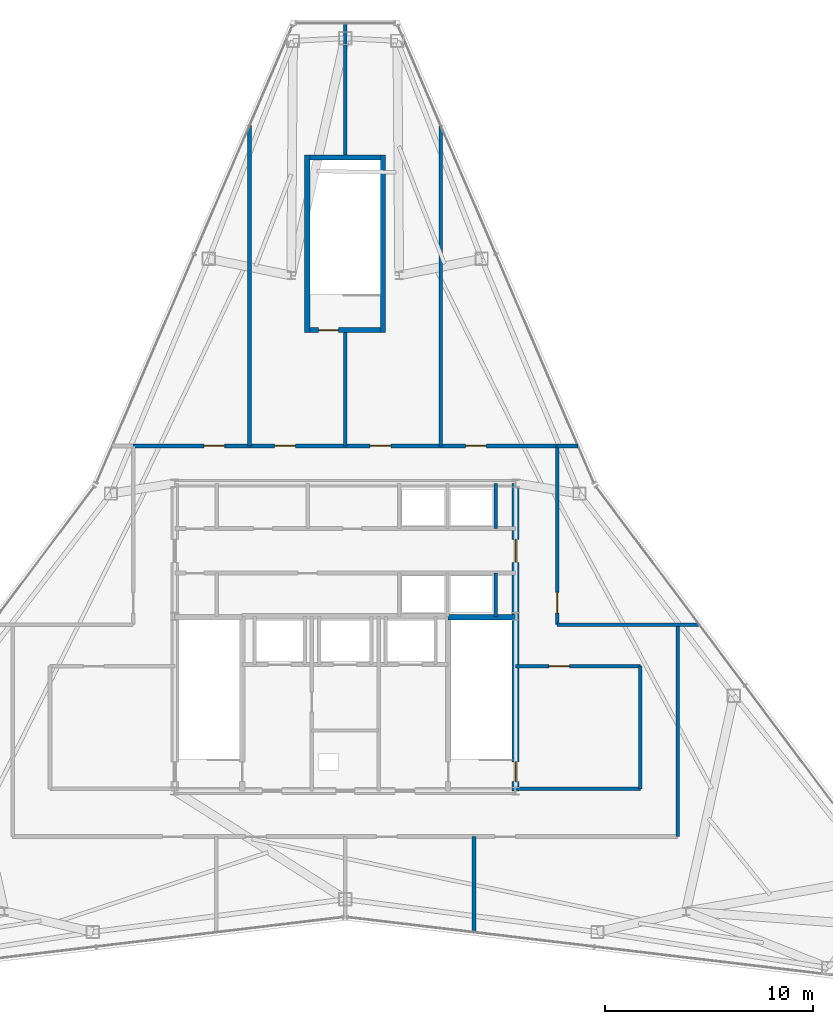
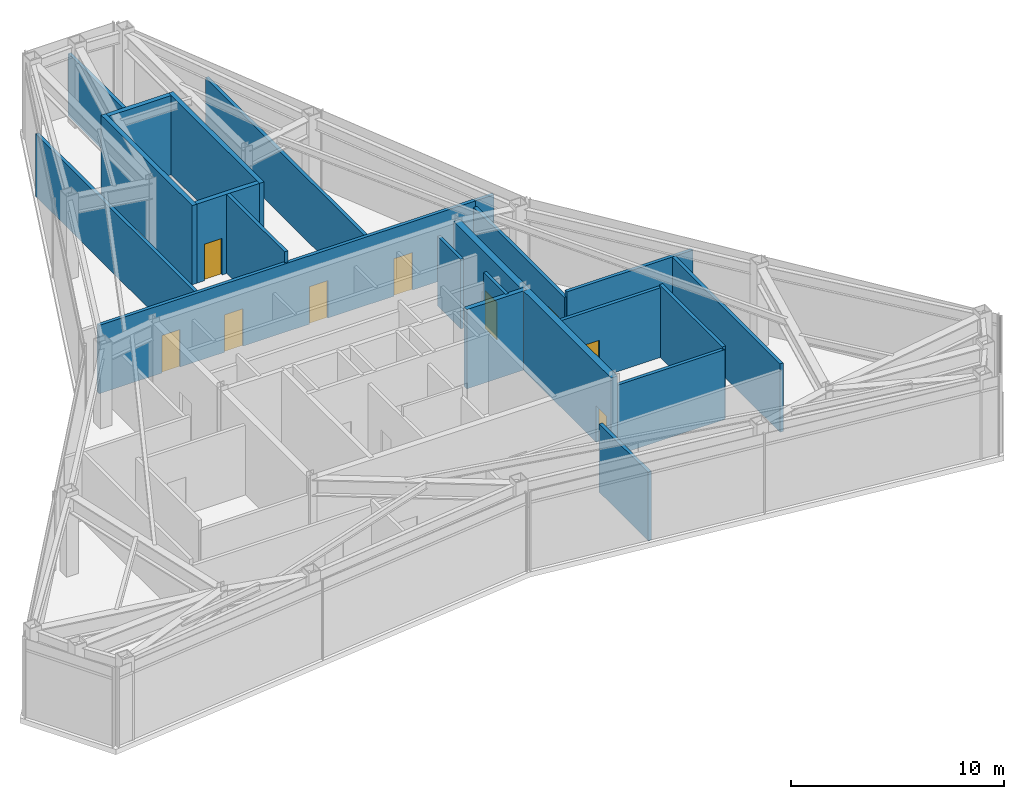
# One storey, part 10 of 11: 21 walls, 9 doors, 9 openings.
"""IFC4 building model written with IfcOpenShell, lengths in metres."""

from ifc_helpers import new_model, si_unit, direction, frame, frame_2d, origin, place, context, subcontext, project, spatial, rectangle, extrude, material, layer, layer_set, type_object, element, fill, save


model = new_model("IFC4")

# Units and contexts
model_context = context("Model", 3, precision=1e-05, world=origin(), true_north=direction((0.0, 1.0)))
body_context = subcontext(model_context, "Body", "Model", "MODEL_VIEW")
ifc_project = project(units=[si_unit("LENGTHUNIT", "METRE"), si_unit("AREAUNIT", "SQUARE_METRE"), si_unit("VOLUMEUNIT", "CUBIC_METRE"), si_unit("PLANEANGLEUNIT", "RADIAN"), si_unit("MASSUNIT", "GRAM", prefix="KILO")], contexts=[model_context])

# Site, building, storey
site_placement = place(None, origin())
site = spatial("IfcSite", under=ifc_project, at=site_placement, CompositionType="ELEMENT")
building_placement = place(site_placement, origin())
building = spatial("IfcBuilding", under=site, at=building_placement, Name="Varakhsha Concourse Tower", CompositionType="ELEMENT")
storey_placement = place(building_placement, frame((0.0, 0.0, 290.0)))
storey = spatial("IfcBuildingStorey", under=building, at=storey_placement, Name="L82", CompositionType="ELEMENT", Elevation=290.0)

# Wall, openings, doors
ifc_material_1 = material(Name="Concrete fc 65 MPa", Category="concrete")
ifc_layer_1 = layer(ifc_material_1, 0.35009765625, Name="WL-CORE-350")
ifc_layer_set_1 = layer_set([ifc_layer_1], Name="Concrete fc 65 MPa")
wall_type_1 = type_object("IfcWallType", Name="WL-CORE-350", PredefinedType="SHEAR", material=ifc_layer_set_1)
wall_1_placement = place(storey_placement, frame((48.199951171875, 16.39990234375, 0.0), z_axis=(0.0, 0.0, 1.0), x_axis=(0.0, 1.0, 0.0)))
wall_1 = element("IfcWall", 1, at=wall_1_placement, inside=storey, type_object=wall_type_1, Name="L82 Wall CWALL-E-L82", PredefinedType="SHEAR", context=body_context, shape_type="SweptSolid", body=[
    extrude(rectangle(XDim=14.800048828125, YDim=0.35009765625, at=frame_2d((7.39990234375, 0.0))), origin(), (0.0, 0.0, 1.0), 4.5400390625),
])
opening_1_placement = place(wall_1_placement, frame((11.0, 0.0, 0.0)))
opening_1 = element("IfcOpeningElement", 2, at=opening_1_placement, cuts=wall_1, Name="Opening DL-01", PredefinedType="OPENING", context=body_context, shape_type="SweptSolid", body=[
    extrude(rectangle(XDim=1.10009765625, YDim=2.14990234375, at=frame_2d((0.550048828125, 1.074951171875))), frame((0.0, 0.18505859375, 0.0), z_axis=(0.0, -1.0, 0.0), x_axis=(1.0, 0.0, 0.0)), (0.0, 0.0, 1.0), 0.3701171875),
])
opening_2_placement = place(wall_1_placement, frame((0.449951171875, 0.0, 0.0)))
opening_2 = element("IfcOpeningElement", 3, at=opening_2_placement, cuts=wall_1, Name="Opening DF-03", PredefinedType="OPENING", context=body_context, shape_type="SweptSolid", body=[
    extrude(rectangle(XDim=0.949951171875, YDim=2.10009765625, at=frame_2d((0.47509765625, 1.050048828125))), frame((0.0, 0.18505859375, 0.0), z_axis=(0.0, -1.0, 0.0), x_axis=(1.0, 0.0, 0.0)), (0.0, 0.0, 1.0), 0.3701171875),
])
ifc_material_2 = material(Name="Hollow Galvanised Steel Fire Door Assembly", Category="steel")
door_type_1 = type_object("IfcDoorType", Name="DR-FD90-950", OperationType="NOTDEFINED", PredefinedType="DOOR", material=ifc_material_2)
door_1_placement = place(opening_2_placement, origin())
door_1 = element("IfcDoor", 4, at=door_1_placement, inside=storey, type_object=door_type_1, Name="L82 Area of Refuge East Stair ST2 Door", OperationType="SINGLE_SWING_RIGHT", OverallHeight=2.10009765625, OverallWidth=0.949951171875, PredefinedType="DOOR", context=body_context, shape_type="SweptSolid", body=[
    extrude(rectangle(XDim=0.949951171875, YDim=2.10009765625, at=frame_2d((0.47509765625, 1.050048828125))), frame((0.0, 0.02490234375, 0.0), z_axis=(0.0, -1.0, 0.0), x_axis=(1.0, 0.0, 0.0)), (0.0, 0.0, 1.0), 0.050048828125),
])
fill(opening_2, door_1)
ifc_material_3 = material(Name="Anodised Bronze Architectural Aluminium AA 6063-T6", Category="aluminium")
door_type_2 = type_object("IfcDoorType", Name="DR-LOB-1100", OperationType="NOTDEFINED", PredefinedType="DOOR", material=ifc_material_3)
door_2_placement = place(opening_1_placement, origin())
door_2 = element("IfcDoor", 5, at=door_2_placement, inside=storey, type_object=door_type_2, Name="L82 Lift Lobby East Concourse Door", OperationType="SINGLE_SWING_RIGHT", OverallHeight=2.14990234375, OverallWidth=1.10009765625, PredefinedType="DOOR", context=body_context, shape_type="SweptSolid", body=[
    extrude(rectangle(XDim=1.10009765625, YDim=2.14990234375, at=frame_2d((0.550048828125, 1.074951171875))), frame((0.0, 0.02490234375, 0.0), z_axis=(0.0, -1.0, 0.0), x_axis=(1.0, 0.0, 0.0)), (0.0, 0.0, 1.0), 0.050048828125),
])
fill(opening_1, door_2)

ifc_material_4 = material(Name="Fire-Rated Type X Gypsum Partition Assembly", Category="gypsum")
ifc_layer_2 = layer(ifc_material_4, 0.179931640625, Name="WL-PART-180")
ifc_layer_set_2 = layer_set([ifc_layer_2], Name="Fire-Rated Type X Gypsum Partition Assembly")
wall_type_2 = type_object("IfcWallType", Name="WL-PART-180", PredefinedType="PARTITIONING", material=ifc_layer_set_2)
wall_2_placement = place(storey_placement, frame((29.800048828125, 33.0, 0.0), z_axis=(0.0, 0.0, 1.0), x_axis=(1.0, 0.0, 0.0)))
wall_2 = element("IfcWall", 6, at=wall_2_placement, inside=storey, type_object=wall_type_2, Name="L82 Wall PCW-N-L82", PredefinedType="PARTITIONING", context=body_context, shape_type="SweptSolid", body=[
    extrude(rectangle(XDim=20.39990234375, YDim=0.179931640625, at=frame_2d((10.199951171875, 0.0))), origin(), (0.0, 0.0, 1.0), 3.91796875),
])
opening_3_placement = place(wall_2_placement, frame((3.39990234375, 0.0, 0.0)))
opening_3 = element("IfcOpeningElement", 7, at=opening_3_placement, cuts=wall_2, Name="Opening DF-04", PredefinedType="OPENING", context=body_context, shape_type="SweptSolid", body=[
    extrude(rectangle(XDim=1.0, YDim=2.14990234375, at=frame_2d((0.5, 1.074951171875))), frame((0.0, 0.099853515625, 0.0), z_axis=(0.0, -1.0, 0.0), x_axis=(1.0, 0.0, 0.0)), (0.0, 0.0, 1.0), 0.199951171875),
])
opening_4_placement = place(wall_2_placement, frame((6.800048828125, 0.0, 0.0)))
opening_4 = element("IfcOpeningElement", 8, at=opening_4_placement, cuts=wall_2, Name="Opening DF-04", PredefinedType="OPENING", context=body_context, shape_type="SweptSolid", body=[
    extrude(rectangle(XDim=1.0, YDim=2.14990234375, at=frame_2d((0.5, 1.074951171875))), frame((0.0, 0.099853515625, 0.0), z_axis=(0.0, -1.0, 0.0), x_axis=(1.0, 0.0, 0.0)), (0.0, 0.0, 1.0), 0.199951171875),
])
opening_5_placement = place(wall_2_placement, frame((11.39990234375, 0.0, 0.0)))
opening_5 = element("IfcOpeningElement", 9, at=opening_5_placement, cuts=wall_2, Name="Opening DF-04", PredefinedType="OPENING", context=body_context, shape_type="SweptSolid", body=[
    extrude(rectangle(XDim=1.0, YDim=2.14990234375, at=frame_2d((0.5, 1.074951171875))), frame((0.0, 0.099853515625, 0.0), z_axis=(0.0, -1.0, 0.0), x_axis=(1.0, 0.0, 0.0)), (0.0, 0.0, 1.0), 0.199951171875),
])
opening_6_placement = place(wall_2_placement, frame((16.0, 0.0, 0.0)))
opening_6 = element("IfcOpeningElement", 10, at=opening_6_placement, cuts=wall_2, Name="Opening DF-04", PredefinedType="OPENING", context=body_context, shape_type="SweptSolid", body=[
    extrude(rectangle(XDim=1.0, YDim=2.14990234375, at=frame_2d((0.5, 1.074951171875))), frame((0.0, 0.099853515625, 0.0), z_axis=(0.0, -1.0, 0.0), x_axis=(1.0, 0.0, 0.0)), (0.0, 0.0, 1.0), 0.199951171875),
])
door_type_3 = type_object("IfcDoorType", Name="DR-FD60-1000", OperationType="NOTDEFINED", PredefinedType="DOOR", material=ifc_material_2)
door_3_placement = place(opening_3_placement, origin())
door_3 = element("IfcDoor", 11, at=door_3_placement, inside=storey, type_object=door_type_3, Name="L82 West Zonal HV Switchgear Plant Room Door", OperationType="SINGLE_SWING_LEFT", OverallHeight=2.14990234375, OverallWidth=1.0, PredefinedType="DOOR", context=body_context, shape_type="SweptSolid", body=[
    extrude(rectangle(XDim=1.0, YDim=2.14990234375, at=frame_2d((0.5, 1.074951171875))), frame((0.0, 0.02490234375, 0.0), z_axis=(0.0, -1.0, 0.0), x_axis=(1.0, 0.0, 0.0)), (0.0, 0.0, 1.0), 0.050048828125),
])
fill(opening_3, door_3)
door_4_placement = place(opening_4_placement, origin())
door_4 = element("IfcDoor", 12, at=door_4_placement, inside=storey, type_object=door_type_3, Name="L82 Step-Down Transformer Mechanical Plant Room Door", OperationType="SINGLE_SWING_LEFT", OverallHeight=2.14990234375, OverallWidth=1.0, PredefinedType="DOOR", context=body_context, shape_type="SweptSolid", body=[
    extrude(rectangle(XDim=1.0, YDim=2.14990234375, at=frame_2d((0.5, 1.074951171875))), frame((0.0, 0.02490234375, 0.0), z_axis=(0.0, -1.0, 0.0), x_axis=(1.0, 0.0, 0.0)), (0.0, 0.0, 1.0), 0.050048828125),
])
fill(opening_4, door_4)
door_5_placement = place(opening_5_placement, origin())
door_5 = element("IfcDoor", 13, at=door_5_placement, inside=storey, type_object=door_type_3, Name="L82 UPS Battery Inverter Mechanical Plant Room Door", OperationType="SINGLE_SWING_LEFT", OverallHeight=2.14990234375, OverallWidth=1.0, PredefinedType="DOOR", context=body_context, shape_type="SweptSolid", body=[
    extrude(rectangle(XDim=1.0, YDim=2.14990234375, at=frame_2d((0.5, 1.074951171875))), frame((0.0, 0.02490234375, 0.0), z_axis=(0.0, -1.0, 0.0), x_axis=(1.0, 0.0, 0.0)), (0.0, 0.0, 1.0), 0.050048828125),
])
fill(opening_5, door_5)
door_6_placement = place(opening_6_placement, origin())
door_6 = element("IfcDoor", 14, at=door_6_placement, inside=storey, type_object=door_type_3, Name="L82 Emergency Generator Control Plant Room Door", OperationType="SINGLE_SWING_LEFT", OverallHeight=2.14990234375, OverallWidth=1.0, PredefinedType="DOOR", context=body_context, shape_type="SweptSolid", body=[
    extrude(rectangle(XDim=1.0, YDim=2.14990234375, at=frame_2d((0.5, 1.074951171875))), frame((0.0, 0.02490234375, 0.0), z_axis=(0.0, -1.0, 0.0), x_axis=(1.0, 0.0, 0.0)), (0.0, 0.0, 1.0), 0.050048828125),
])
fill(opening_6, door_6)

# Wall, opening, door
wall_3_placement = place(storey_placement, frame((50.199951171875, 24.39990234375, 0.0), z_axis=(0.0, 0.0, 1.0), x_axis=(0.0, 1.0, 0.0)))
wall_3 = element("IfcWall", 15, at=wall_3_placement, inside=storey, type_object=wall_type_2, Name="L82 Wall PCW-EE-L82", PredefinedType="PARTITIONING", context=body_context, shape_type="SweptSolid", body=[
    extrude(rectangle(XDim=8.60009765625, YDim=0.179931640625, at=frame_2d((4.300048828125, 0.0))), origin(), (0.0, 0.0, 1.0), 3.58203125),
])
opening_7_placement = place(wall_3_placement, frame((0.550048828125, 0.0, 0.0)))
opening_7 = element("IfcOpeningElement", 16, at=opening_7_placement, cuts=wall_3, Name="Opening DF-04", PredefinedType="OPENING", context=body_context, shape_type="SweptSolid", body=[
    extrude(rectangle(XDim=1.0, YDim=2.14990234375, at=frame_2d((0.5, 1.074951171875))), frame((0.0, 0.099853515625, 0.0), z_axis=(0.0, -1.0, 0.0), x_axis=(1.0, 0.0, 0.0)), (0.0, 0.0, 1.0), 0.199951171875),
])
door_7_placement = place(opening_7_placement, origin())
door_7 = element("IfcDoor", 17, at=door_7_placement, inside=storey, type_object=door_type_3, Name="L82 East Booster and Fire Standpipe Pump Plant Room Door", OperationType="SINGLE_SWING_LEFT", OverallHeight=2.14990234375, OverallWidth=1.0, PredefinedType="DOOR", context=body_context, shape_type="SweptSolid", body=[
    extrude(rectangle(XDim=1.0, YDim=2.14990234375, at=frame_2d((0.5, 1.074951171875))), frame((0.0, 0.02490234375, 0.0), z_axis=(0.0, -1.0, 0.0), x_axis=(1.0, 0.0, 0.0)), (0.0, 0.0, 1.0), 0.050048828125),
])
fill(opening_7, door_7)

# Walls
wall_4_placement = place(storey_placement, frame((56.0, 14.199951171875, 0.0), z_axis=(0.0, 0.0, 1.0), x_axis=(0.0, 1.0, 0.0)))
element("IfcWall", 18, at=wall_4_placement, inside=storey, type_object=wall_type_2, Name="L82 Wall PCW-ES-L82", PredefinedType="PARTITIONING", context=body_context, shape_type="SweptSolid", body=[
    extrude(rectangle(XDim=10.199951171875, YDim=0.179931640625, at=frame_2d((5.10009765625, 0.0))), origin(), (0.0, 0.0, 1.0), 3.91796875),
])
wall_5_placement = place(storey_placement, frame((48.199951171875, 16.5, 0.0), z_axis=(0.0, 0.0, 1.0), x_axis=(1.0, 0.0, 0.0)))
element("IfcWall", 19, at=wall_5_placement, inside=storey, type_object=wall_type_2, Name="L82 Wall REFW-ES-L82", PredefinedType="PARTITIONING", context=body_context, shape_type="SweptSolid", body=[
    extrude(rectangle(XDim=6.0, YDim=0.179931640625, at=frame_2d((3.0, 0.0))), origin(), (0.0, 0.0, 1.0), 3.9951171875),
])

# Wall, opening, door
wall_6_placement = place(storey_placement, frame((48.199951171875, 22.39990234375, 0.0), z_axis=(0.0, 0.0, 1.0), x_axis=(1.0, 0.0, 0.0)))
wall_6 = element("IfcWall", 20, at=wall_6_placement, inside=storey, type_object=wall_type_2, Name="L82 Wall REFW-EN-L82", PredefinedType="PARTITIONING", context=body_context, shape_type="SweptSolid", body=[
    extrude(rectangle(XDim=6.0, YDim=0.179931640625, at=frame_2d((3.0, 0.0))), origin(), (0.0, 0.0, 1.0), 3.9951171875),
])
opening_8_placement = place(wall_6_placement, frame((1.60009765625, 0.0, 0.0)))
opening_8 = element("IfcOpeningElement", 21, at=opening_8_placement, cuts=wall_6, Name="Opening DF-04", PredefinedType="OPENING", context=body_context, shape_type="SweptSolid", body=[
    extrude(rectangle(XDim=1.0, YDim=2.14990234375, at=frame_2d((0.5, 1.074951171875))), frame((0.0, 0.099853515625, 0.0), z_axis=(0.0, -1.0, 0.0), x_axis=(1.0, 0.0, 0.0)), (0.0, 0.0, 1.0), 0.199951171875),
])
door_8_placement = place(opening_8_placement, origin())
door_8 = element("IfcDoor", 22, at=door_8_placement, inside=storey, type_object=door_type_3, Name="L82 Area of Refuge East Lobby Door", OperationType="SINGLE_SWING_RIGHT", OverallHeight=2.14990234375, OverallWidth=1.0, PredefinedType="DOOR", context=body_context, shape_type="SweptSolid", body=[
    extrude(rectangle(XDim=1.0, YDim=2.14990234375, at=frame_2d((0.5, 1.074951171875))), frame((0.0, 0.02490234375, 0.0), z_axis=(0.0, -1.0, 0.0), x_axis=(1.0, 0.0, 0.0)), (0.0, 0.0, 1.0), 0.050048828125),
])
fill(opening_8, door_8)

# Walls
wall_7_placement = place(storey_placement, frame((54.199951171875, 16.5, 0.0), z_axis=(0.0, 0.0, 1.0), x_axis=(0.0, 1.0, 0.0)))
element("IfcWall", 23, at=wall_7_placement, inside=storey, type_object=wall_type_2, Name="L82 Wall REFW-EE-L82", PredefinedType="PARTITIONING", context=body_context, shape_type="SweptSolid", body=[
    extrude(rectangle(XDim=5.89990234375, YDim=0.179931640625, at=frame_2d((2.949951171875, 0.0))), origin(), (0.0, 0.0, 1.0), 4.123046875),
])
wall_8_placement = place(storey_placement, frame((50.199951171875, 24.39990234375, 0.0), z_axis=(0.0, 0.0, 1.0), x_axis=(1.0, 0.0, 0.0)))
element("IfcWall", 24, at=wall_8_placement, inside=storey, type_object=wall_type_2, Name="L82 Wall PDIV-ES-L82", PredefinedType="PARTITIONING", context=body_context, shape_type="SweptSolid", body=[
    extrude(rectangle(XDim=6.83984375, YDim=0.179931640625, at=frame_2d((3.419921875, 0.0))), origin(), (0.0, 0.0, 1.0), 3.91796875),
])
wall_9_placement = place(storey_placement, frame((50.199951171875, 33.0, 0.0), z_axis=(0.0, 0.0, 1.0), x_axis=(1.0, 0.0, 0.0)))
element("IfcWall", 25, at=wall_9_placement, inside=storey, type_object=wall_type_2, Name="L82 Wall PDIV-EN-L82", PredefinedType="PARTITIONING", context=body_context, shape_type="SweptSolid", body=[
    extrude(rectangle(XDim=1.002685546875, YDim=0.179931640625, at=frame_2d((0.50146484375, 0.0))), origin(), (0.0, 0.0, 1.0), 3.91796875),
])
wall_10_placement = place(storey_placement, frame((46.199951171875, 9.59912109375, 0.0), z_axis=(0.0, 0.0, 1.0), x_axis=(0.0, 1.0, 0.0)))
element("IfcWall", 26, at=wall_10_placement, inside=storey, type_object=wall_type_2, Name="L82 Wall PDIV-S3-L82", PredefinedType="PARTITIONING", context=body_context, shape_type="SweptSolid", body=[
    extrude(rectangle(XDim=4.600830078125, YDim=0.179931640625, at=frame_2d((2.30029296875, 0.0))), origin(), (0.0, 0.0, 1.0), 3.91796875),
])
wall_11_placement = place(storey_placement, frame((35.39990234375, 33.0, 0.0), z_axis=(0.0, 0.0, 1.0), x_axis=(0.0, 1.0, 0.0)))
element("IfcWall", 27, at=wall_11_placement, inside=storey, type_object=wall_type_2, Name="L82 Wall PDIV-N1-L82", PredefinedType="PARTITIONING", context=body_context, shape_type="SweptSolid", body=[
    extrude(rectangle(XDim=15.409912109375, YDim=0.179931640625, at=frame_2d((7.705078125, 0.0))), origin(), (0.0, 0.0, 1.0), 3.58203125),
])
wall_12_placement = place(storey_placement, frame((40.0, 33.0, 0.0), z_axis=(0.0, 0.0, 1.0), x_axis=(0.0, 1.0, 0.0)))
element("IfcWall", 28, at=wall_12_placement, inside=storey, type_object=wall_type_2, Name="L82 Wall PDIV-N2-L82", PredefinedType="PARTITIONING", context=body_context, shape_type="SweptSolid", body=[
    extrude(rectangle(XDim=5.449951171875, YDim=0.179931640625, at=frame_2d((2.72509765625, 0.0))), origin(), (0.0, 0.0, 1.0), 4.5400390625),
])
wall_13_placement = place(storey_placement, frame((40.0, 47.0, 0.0), z_axis=(0.0, 0.0, 1.0), x_axis=(0.0, 1.0, 0.0)))
element("IfcWall", 29, at=wall_13_placement, inside=storey, type_object=wall_type_2, Name="L82 Wall PDIV-N2-L82-B", PredefinedType="PARTITIONING", context=body_context, shape_type="SweptSolid", body=[
    extrude(rectangle(XDim=6.331787109375, YDim=0.179931640625, at=frame_2d((3.166015625, 0.0))), origin(), (0.0, 0.0, 1.0), 3.58203125),
])
wall_14_placement = place(storey_placement, frame((44.60009765625, 33.0, 0.0), z_axis=(0.0, 0.0, 1.0), x_axis=(0.0, 1.0, 0.0)))
element("IfcWall", 30, at=wall_14_placement, inside=storey, type_object=wall_type_2, Name="L82 Wall PDIV-N3-L82", PredefinedType="PARTITIONING", context=body_context, shape_type="SweptSolid", body=[
    extrude(rectangle(XDim=15.409912109375, YDim=0.179931640625, at=frame_2d((7.705078125, 0.0))), origin(), (0.0, 0.0, 1.0), 3.58203125),
])
ifc_layer_3 = layer(ifc_material_4, 0.199951171875, Name="WL-SHAFT-220")
ifc_layer_set_3 = layer_set([ifc_layer_3], Name="Fire-Rated Type X Gypsum Partition Assembly")
wall_type_3 = type_object("IfcWallType", Name="WL-SHAFT-220", PredefinedType="SOLIDWALL", material=ifc_layer_set_3)
wall_15_placement = place(storey_placement, frame((47.239990234375, 29.02001953125, 0.0), z_axis=(0.0, 0.0, 1.0), x_axis=(0.0, 1.0, 0.0)))
element("IfcWall", 31, at=wall_15_placement, inside=storey, type_object=wall_type_3, Name="L82 Wall SHW-LF-P10-E-L82", PredefinedType="SOLIDWALL", context=body_context, shape_type="SweptSolid", body=[
    extrude(rectangle(XDim=2.179931640625, YDim=0.159912109375, at=frame_2d((1.08984375, 0.0))), origin(), (0.0, 0.0, 1.0), 3.9951171875),
])
wall_16_placement = place(storey_placement, frame((47.239990234375, 24.800048828125, 0.0), z_axis=(0.0, 0.0, 1.0), x_axis=(0.0, 1.0, 0.0)))
element("IfcWall", 32, at=wall_16_placement, inside=storey, type_object=wall_type_3, Name="L82 Wall SHW-LF-P12-E-L82", PredefinedType="SOLIDWALL", context=body_context, shape_type="SweptSolid", body=[
    extrude(rectangle(XDim=2.079833984375, YDim=0.159912109375, at=frame_2d((1.0400390625, 0.0))), origin(), (0.0, 0.0, 1.0), 4.5400390625),
])
ifc_material_5 = material(Name="Concrete fc 45 MPa", Category="concrete")
ifc_layer_4 = layer(ifc_material_5, 0.25, Name="WL-STAIR-250")
ifc_layer_set_4 = layer_set([ifc_layer_4], Name="Concrete fc 45 MPa")
wall_type_4 = type_object("IfcWallType", Name="WL-STAIR-250", PredefinedType="SHEAR", material=ifc_layer_set_4)
wall_17_placement = place(storey_placement, frame((44.955078125, 24.7548828125, 0.0), z_axis=(0.0, 0.0, 1.0), x_axis=(1.0, 0.0, 0.0)))
element("IfcWall", 33, at=wall_17_placement, inside=storey, type_object=wall_type_4, Name="L82 Wall SWALL-ST2-N-L82", PredefinedType="SHEAR", context=body_context, shape_type="SweptSolid", body=[
    extrude(rectangle(XDim=3.244873046875, YDim=0.25, at=frame_2d((1.62255859375, 0.0))), origin(), (0.0, 0.0, 1.0), 4.5400390625),
])
for number, where, z_axis, x_axis, name in (
    (34, (38.175048828125, 38.449951171875, 0.0), (0.0, 0.0, 1.0), (0.0, 1.0, 0.0), "L82 Wall SWALL-ST5-W-L82"),
    (35, (41.824951171875, 38.449951171875, 0.0), (0.0, 0.0, 1.0), (0.0, 1.0, 0.0), "L82 Wall SWALL-ST5-E-L82"),
):
    element("IfcWall", number, at=place(storey_placement, frame(where, z_axis=z_axis, x_axis=x_axis)), inside=storey, type_object=wall_type_4, Name=name, PredefinedType="SHEAR", context=body_context, shape_type="SweptSolid", body=[
        extrude(rectangle(XDim=8.550048828125, YDim=0.25, at=frame_2d((4.27490234375, 0.0))), origin(), (0.0, 0.0, 1.0), 4.5400390625),
    ])

# Wall, opening, door
wall_18_placement = place(storey_placement, frame((38.300048828125, 38.574951171875, 0.0), z_axis=(0.0, 0.0, 1.0), x_axis=(1.0, 0.0, 0.0)))
wall_18 = element("IfcWall", 36, at=wall_18_placement, inside=storey, type_object=wall_type_4, Name="L82 Wall SWALL-ST5-S-L82", PredefinedType="SHEAR", context=body_context, shape_type="SweptSolid", body=[
    extrude(rectangle(XDim=3.39990234375, YDim=0.25, at=frame_2d((1.699951171875, 0.0))), origin(), (0.0, 0.0, 1.0), 4.5400390625),
])
opening_9_placement = place(wall_18_placement, frame((0.425048828125, 0.0, 0.0)))
opening_9 = element("IfcOpeningElement", 37, at=opening_9_placement, cuts=wall_18, Name="Opening DF-03", PredefinedType="OPENING", context=body_context, shape_type="SweptSolid", body=[
    extrude(rectangle(XDim=0.949951171875, YDim=2.10009765625, at=frame_2d((0.47509765625, 1.050048828125))), frame((0.0, 0.135009765625, 0.0), z_axis=(0.0, -1.0, 0.0), x_axis=(1.0, 0.0, 0.0)), (0.0, 0.0, 1.0), 0.27001953125),
])
door_9_placement = place(opening_9_placement, origin())
door_9 = element("IfcDoor", 38, at=door_9_placement, inside=storey, type_object=door_type_1, Name="L82 Stair ST5 Fire Door", OperationType="SINGLE_SWING_RIGHT", OverallHeight=2.10009765625, OverallWidth=0.949951171875, PredefinedType="DOOR", context=body_context, shape_type="SweptSolid", body=[
    extrude(rectangle(XDim=0.949951171875, YDim=2.10009765625, at=frame_2d((0.47509765625, 1.050048828125))), frame((0.0, 0.02490234375, 0.0), z_axis=(0.0, -1.0, 0.0), x_axis=(1.0, 0.0, 0.0)), (0.0, 0.0, 1.0), 0.050048828125),
])
fill(opening_9, door_9)

# Wall
wall_19_placement = place(storey_placement, frame((38.300048828125, 46.875, 0.0), z_axis=(0.0, 0.0, 1.0), x_axis=(1.0, 0.0, 0.0)))
element("IfcWall", 39, at=wall_19_placement, inside=storey, type_object=wall_type_4, Name="L82 Wall SWALL-ST5-N-L82", PredefinedType="SHEAR", context=body_context, shape_type="SweptSolid", body=[
    extrude(rectangle(XDim=3.39990234375, YDim=0.25, at=frame_2d((1.699951171875, 0.0))), origin(), (0.0, 0.0, 1.0), 4.5400390625),
])

save(model, "model.ifc")
